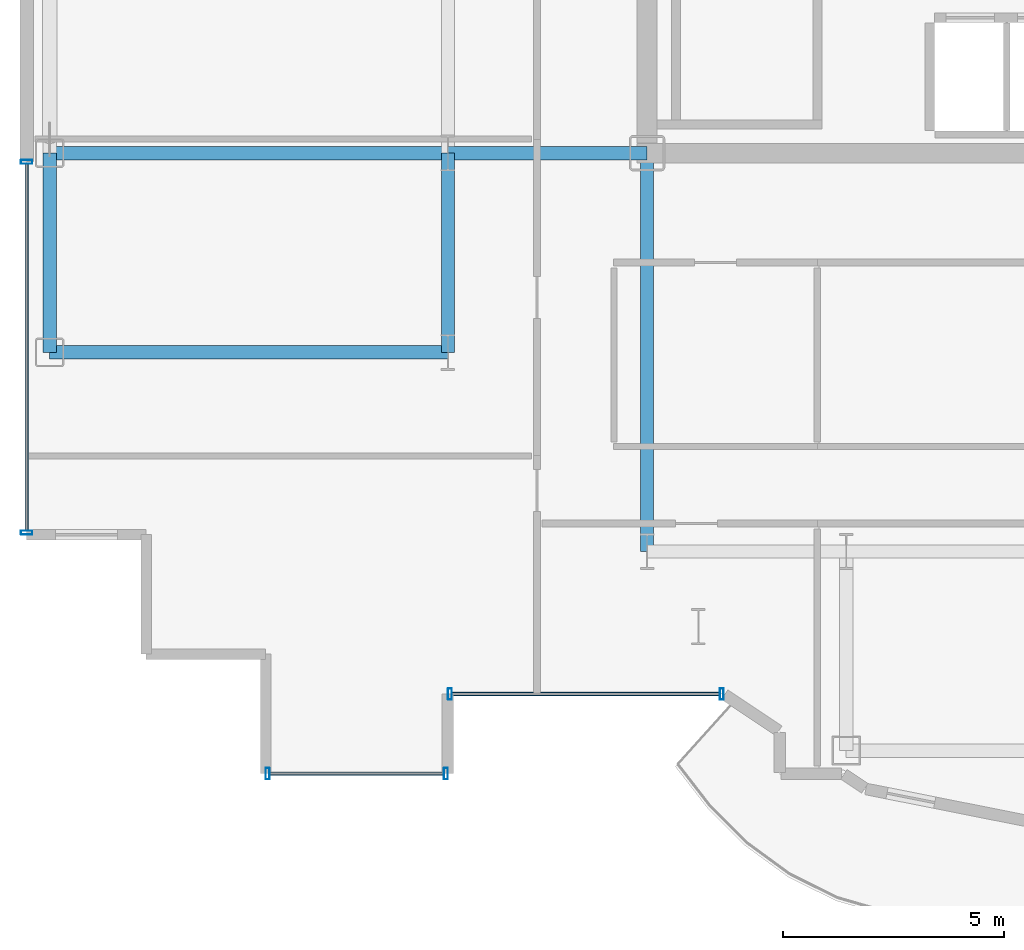
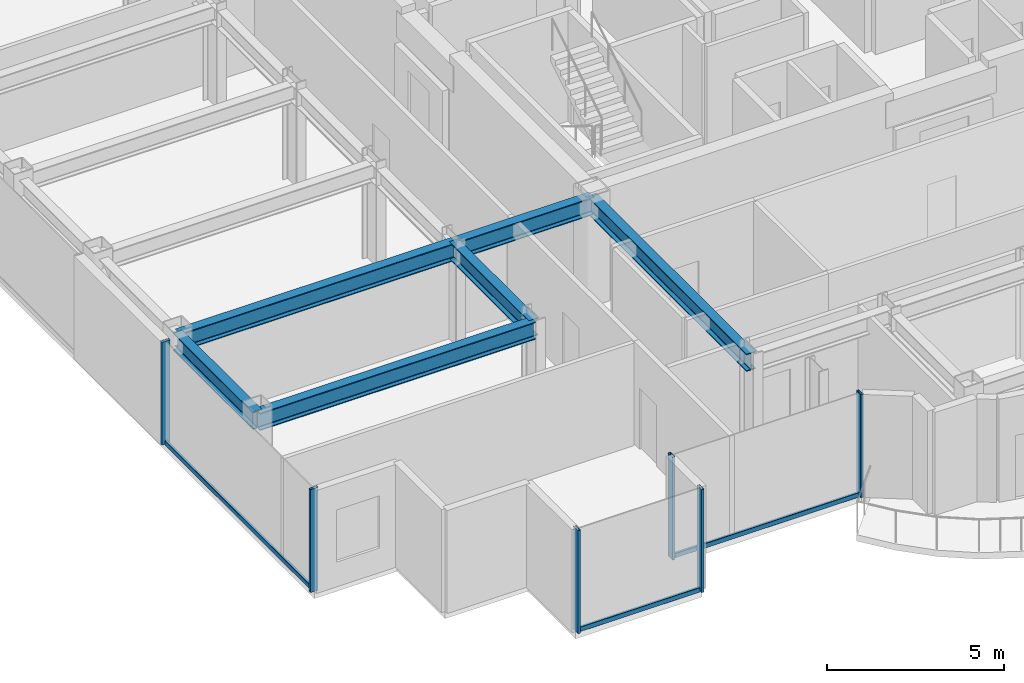
# One storey, part 2 of 22: 9 members, 6 beams, 3 elements without a shape of their own.
"""IFC4 building model written with IfcOpenShell, lengths in metres."""

import ifcopenshell
import ifcopenshell.guid

model = None  # the IFC model being written
_history = None  # IfcOwnerHistory: only IFC2X3 demands one
_inside = {}  # id of a spatial element -> (the spatial element, [elements in it])
_under = {}  # id of a project, library or spatial element -> (it, [spatial elements below it])
_declared = {}  # id of a project -> (the project, [libraries it declares])
_typed = {}  # id of a type object -> (the type object, [elements of that type])
_made_of = {}  # id of a material, layer set ... -> (it, [elements and type objects made of it])


def new_model(schema):
    """Start an empty IFC model of exactly this schema.

    Asked for "IFC4X3", IfcOpenShell would pick the latest addendum, in which some entities
    have other attributes; the version numbers below select the first issue.
    IFC2X3 requires an IfcOwnerHistory on every rooted entity: one is made here for all.
    """
    global model, _history
    if schema == "IFC4X3":
        model = ifcopenshell.file(schema_version=(4, 3, 0, 0))
    else:
        model = ifcopenshell.file(schema=schema)
    _inside.clear()
    _under.clear()
    _declared.clear()
    _typed.clear()
    _made_of.clear()
    _history = None
    if model.schema == "IFC2X3":
        org = make("IfcOrganization", Name="unknown")
        user = make(
            "IfcPersonAndOrganization",
            ThePerson=make("IfcPerson", FamilyName="unknown"),
            TheOrganization=org,
        )
        app = make(
            "IfcApplication",
            ApplicationDeveloper=org,
            Version="unknown",
            ApplicationFullName="unknown",
            ApplicationIdentifier="unknown",
        )
        _history = make(
            "IfcOwnerHistory",
            OwningUser=user,
            OwningApplication=app,
            ChangeAction="ADDED",
            CreationDate=0,
        )
    return model


def make(cls, **values):
    """One entity of the class cls with the attributes given. An attribute that is None is left unset."""
    return model.create_entity(
        cls, **{name: value for name, value in values.items() if value is not None}
    )


def rooted(cls, **values):
    """An entity with a GlobalId (a new one), such as an element, a storey or a relation."""
    return make(cls, GlobalId=ifcopenshell.guid.new(), OwnerHistory=_history, **values)


def si_unit(unit_type, name, prefix=None):
    """IfcSIUnit, for example si_unit("LENGTHUNIT", "METRE", prefix="MILLI")."""
    return make("IfcSIUnit", UnitType=unit_type, Prefix=prefix, Name=name)


def assignment(units):
    """IfcUnitAssignment: the units of a project."""
    return None if units is None else make("IfcUnitAssignment", Units=units)


def point(xyz):
    """IfcCartesianPoint."""
    return None if xyz is None else make("IfcCartesianPoint", Coordinates=xyz)


def direction(xyz):
    """IfcDirection."""
    return None if xyz is None else make("IfcDirection", DirectionRatios=xyz)


def frame(location, z_axis=None, x_axis=None):
    """IfcAxis2Placement3D, a coordinate frame: its origin and axes. An axis left out is left unset."""
    return make(
        "IfcAxis2Placement3D",
        Location=point(location),
        Axis=direction(z_axis),
        RefDirection=direction(x_axis),
    )


def frame_2d(location, x_axis=None):
    """IfcAxis2Placement2D, a coordinate frame in the plane: its origin and x axis."""
    return make(
        "IfcAxis2Placement2D", Location=point(location), RefDirection=direction(x_axis)
    )


def origin():
    """The frame at (0, 0, 0) with its axes left unset."""
    return frame((0.0, 0.0, 0.0))


def origin_2d():
    """The frame at (0, 0) in the plane with its x axis left unset."""
    return frame_2d((0.0, 0.0))


def place(relative_to, where):
    """IfcLocalPlacement: puts the frame where relative to a parent placement (None: the world)."""
    return make(
        "IfcLocalPlacement", PlacementRelTo=relative_to, RelativePlacement=where
    )


def context(
    kind, dimensions, precision=None, world=None, true_north=None, identifier=None
):
    """IfcGeometricRepresentationContext, for example the 3D "Model" context."""
    return make(
        "IfcGeometricRepresentationContext",
        ContextIdentifier=identifier,
        ContextType=kind,
        CoordinateSpaceDimension=dimensions,
        Precision=precision,
        WorldCoordinateSystem=world,
        TrueNorth=true_north,
    )


def subcontext(parent, identifier, kind, view, scale=None):
    """IfcGeometricRepresentationSubContext, for example "Body" below "Model"."""
    return make(
        "IfcGeometricRepresentationSubContext",
        ContextIdentifier=identifier,
        ContextType=kind,
        ParentContext=parent,
        TargetScale=scale,
        TargetView=view,
    )


def project(units=None, contexts=None):
    """IfcProject with its units and contexts."""
    return rooted(
        "IfcProject",
        Name="project",
        RepresentationContexts=contexts,
        UnitsInContext=assignment(units),
    )


def spatial(cls, under=None, at=None, **own):
    """A site, building, storey or space (cls), placed at a placement, below another one or the project."""
    s = rooted(cls, ObjectPlacement=at, **own)
    if under is not None:
        _under.setdefault(under.id(), (under, []))[1].append(s)
    return s


def profile(cls, at=None, kind="AREA", **sizes):
    """A parametric profile (cls). Its sizes go by their IFC names, for example OverallWidth=200.0."""
    return make(cls, ProfileType=kind, Position=at, **sizes)


def hollow_rectangle(**sizes):
    """IfcRectangleHollowProfileDef."""
    return profile("IfcRectangleHollowProfileDef", **sizes)


def i_section(**sizes):
    """IfcIShapeProfileDef."""
    return profile("IfcIShapeProfileDef", **sizes)


def extrude(swept, where, along, depth):
    """IfcExtrudedAreaSolid: the profile swept, set in the frame where, extruded along a direction by depth."""
    return make(
        "IfcExtrudedAreaSolid",
        SweptArea=swept,
        Position=where,
        ExtrudedDirection=direction(along),
        Depth=depth,
    )


def shape(context_of_items, identifier, shape_type, items):
    """IfcShapeRepresentation: the items that make up one representation, for example the "Body"."""
    return make(
        "IfcShapeRepresentation",
        ContextOfItems=context_of_items,
        RepresentationIdentifier=identifier,
        RepresentationType=shape_type,
        Items=items,
    )


def source(mapping_origin, context_of_items, identifier, shape_type, items):
    """IfcRepresentationMap: a shape defined once, which mapped items show again and again."""
    return make(
        "IfcRepresentationMap",
        MappingOrigin=mapping_origin,
        MappedRepresentation=shape(context_of_items, identifier, shape_type, items),
    )


def transform(
    local_origin,
    x_axis=None,
    y_axis=None,
    z_axis=None,
    scale=None,
    scale2=None,
    scale3=None,
    uniform=True,
):
    """IfcCartesianTransformationOperator3D, or its non-uniform kind. x_axis, y_axis, z_axis: its Axis1, 2, 3."""
    if uniform:
        return make(
            "IfcCartesianTransformationOperator3D",
            Axis1=direction(x_axis),
            Axis2=direction(y_axis),
            LocalOrigin=point(local_origin),
            Scale=scale,
            Axis3=direction(z_axis),
        )
    return make(
        "IfcCartesianTransformationOperator3DnonUniform",
        Axis1=direction(x_axis),
        Axis2=direction(y_axis),
        LocalOrigin=point(local_origin),
        Scale=scale,
        Axis3=direction(z_axis),
        Scale2=scale2,
        Scale3=scale3,
    )


def mapped(mapping_source, mapping_target):
    """IfcMappedItem: shows the shape of a source again, moved by a transform."""
    return make(
        "IfcMappedItem", MappingSource=mapping_source, MappingTarget=mapping_target
    )


def material(Name=None, Category=None):
    """IfcMaterial."""
    return make("IfcMaterial", Name=Name, Category=Category)


def layer(
    of_material, thickness, ventilated=None, Name=None, Category=None, Priority=None
):
    """IfcMaterialLayer: one layer of a wall or slab, of a material (None: an air gap)."""
    return make(
        "IfcMaterialLayer",
        Material=of_material,
        LayerThickness=thickness,
        IsVentilated=ventilated,
        Name=Name,
        Category=Category,
        Priority=Priority,
    )


def layer_set(layers, Name=None):
    """IfcMaterialLayerSet."""
    return make("IfcMaterialLayerSet", MaterialLayers=layers, LayerSetName=Name)


def material_profile(
    of_material, cross_section, Name=None, Category=None, Priority=None
):
    """IfcMaterialProfile: a cross section and its material."""
    return make(
        "IfcMaterialProfile",
        Name=Name,
        Material=of_material,
        Profile=cross_section,
        Priority=Priority,
        Category=Category,
    )


def profile_set(profiles, Name=None, composite=None):
    """IfcMaterialProfileSet."""
    return make(
        "IfcMaterialProfileSet",
        Name=Name,
        MaterialProfiles=profiles,
        CompositeProfile=composite,
    )


def made_of(thing, what):
    """Note that an element or type object is made of a material, layer set ...; save() writes the relation."""
    if what is not None:
        _made_of.setdefault(what.id(), (what, []))[1].append(thing)
    return thing


def type_object(cls, material=None, **own):
    """A type object (cls), such as IfcWallType, which elements share."""
    return made_of(rooted(cls, **own), material)


def element(
    cls,
    number,
    at=None,
    inside=None,
    cuts=None,
    type_object=None,
    material=None,
    context=None,
    identifier="Body",
    shape_type=None,
    held_by="IfcProductDefinitionShape",
    body=None,
    shapes=None,
    **own,
):
    """One element of the class cls, such as IfcWall. Its Tag is "e" and its number.

    at: its placement. inside: the storey or other place that contains it. cuts: it is an
    opening in that element (IfcRelVoidsElement). A single representation is given by context,
    identifier, shape_type and body (its items); several are given by shapes. held_by: the class
    of the entity that holds the representations. save() writes the other relations.
    """
    e = rooted(cls, Tag="e%d" % number, ObjectPlacement=at, **own)
    if body is not None:
        shapes = [shape(context, identifier, shape_type, body)]
    if shapes is not None:
        e.Representation = make(held_by, Representations=shapes)
    if inside is not None:
        _inside.setdefault(inside.id(), (inside, []))[1].append(e)
    if cuts is not None:
        rooted(
            "IfcRelVoidsElement", RelatingBuildingElement=cuts, RelatedOpeningElement=e
        )
    if type_object is not None:
        _typed.setdefault(type_object.id(), (type_object, []))[1].append(e)
    return made_of(e, material)


def aggregate(whole, parts):
    """IfcRelAggregates: a whole, such as a stair, and the parts it consists of."""
    return rooted("IfcRelAggregates", RelatingObject=whole, RelatedObjects=parts)


def save(model, path):
    """Write the relations noted so far, then the file.

    IfcRelAggregates (storeys below a building ...), IfcRelContainedInSpatialStructure (elements
    in a storey), IfcRelDefinesByType, IfcRelAssociatesMaterial and IfcRelDeclares: one each for
    every whole, place, type object, material and project.
    """
    for whole, parts in _under.values():
        aggregate(whole, parts)
    for where, things in _inside.values():
        rooted(
            "IfcRelContainedInSpatialStructure",
            RelatedElements=things,
            RelatingStructure=where,
        )
    for kind, things in _typed.values():
        rooted("IfcRelDefinesByType", RelatedObjects=things, RelatingType=kind)
    for what, things in _made_of.values():
        rooted("IfcRelAssociatesMaterial", RelatedObjects=things, RelatingMaterial=what)
    for by, libraries in _declared.values():
        rooted("IfcRelDeclares", RelatingContext=by, RelatedDefinitions=libraries)
    model.write(path)


model = new_model("IFC4")

# Units and contexts
model_context = context("Model", 3, precision=1e-05, world=origin(), true_north=direction((0.0, 1.0)))
body_context = subcontext(model_context, "Body", "Model", "MODEL_VIEW")
ifc_project = project(units=[si_unit("LENGTHUNIT", "METRE"), si_unit("AREAUNIT", "SQUARE_METRE"), si_unit("VOLUMEUNIT", "CUBIC_METRE"), si_unit("PLANEANGLEUNIT", "RADIAN"), si_unit("MASSUNIT", "GRAM", prefix="KILO")], contexts=[model_context])

# Site, building, storey
site_placement = place(None, origin())
site = spatial("IfcSite", under=ifc_project, at=site_placement, CompositionType="ELEMENT")
building_placement = place(site_placement, origin())
building = spatial("IfcBuilding", under=site, at=building_placement, Name="Nefas-Gora Pilgrimage Tower", CompositionType="ELEMENT")
storey_placement = place(building_placement, frame((0.0, 0.0, 240.800048828125)))
storey = spatial("IfcBuildingStorey", under=building, at=storey_placement, Name="L60", CompositionType="ELEMENT", Elevation=240.800048828125)

# Beams
ifc_material_1 = material(Name="Steel S355", Category="steel")
ifc_material_profile_1 = material_profile(ifc_material_1, i_section(OverallWidth=0.300048828125, OverallDepth=0.60009765625, WebThickness=0.015380859375, FlangeThickness=0.030029296875, FilletRadius=0.027099609375, at=origin_2d()), Name="HEB 600")
ifc_profile_set_1 = profile_set([ifc_material_profile_1], Name="Steel S355")
beam_type_1 = type_object("IfcBeamType", Name="BM-SPN-HEB450", PredefinedType="SPANDREL", material=ifc_profile_set_1)
shared_shape_1 = source(origin(), body_context, "Body", "SweptSolid", [
    extrude(i_section(OverallWidth=0.300048828125, OverallDepth=0.60009765625, WebThickness=0.015380859375, FlangeThickness=0.030029296875, FilletRadius=0.027099609375, at=origin_2d()), origin(), (0.0, 0.0, 1.0), 4.5),
])
beam_placement = place(storey_placement, frame((-24.75, -13.5, 3.25), z_axis=(0.0, 1.0, 0.0), x_axis=(-1.0, 0.0, 0.0)))
element("IfcBeam", 1, at=beam_placement, inside=storey, type_object=beam_type_1, Name="L60 SP-03 beam", PredefinedType="SPANDREL", context=body_context, shape_type="MappedRepresentation", body=[
    mapped(shared_shape_1, transform((0.0, 0.0, 0.0), x_axis=(1.0, 0.0, 0.0), y_axis=(0.0, 1.0, 0.0), z_axis=(0.0, 0.0, 1.0), scale=1.0)),
])
ifc_material_profile_2 = material_profile(ifc_material_1, i_section(OverallWidth=0.300048828125, OverallDepth=0.60009765625, WebThickness=0.015380859375, FlangeThickness=0.030029296875, FilletRadius=0.027099609375, at=origin_2d()), Name="HEB 600")
ifc_profile_set_2 = profile_set([ifc_material_profile_2], Name="Steel S355")
beam_type_2 = type_object("IfcBeamType", Name="BM-GIR-HEB600", PredefinedType="BEAM", material=ifc_profile_set_2)
shared_shape_2 = source(origin(), body_context, "Body", "SweptSolid", [
    extrude(i_section(OverallWidth=0.300048828125, OverallDepth=0.60009765625, WebThickness=0.015380859375, FlangeThickness=0.030029296875, FilletRadius=0.027099609375, at=origin_2d()), origin(), (0.0, 0.0, 1.0), 9.0),
])
for number, where, z_axis, x_axis, name in (
    (2, (-24.75, -13.5, 3.25), (1.0, 0.0, 0.0), (0.0, 1.0, 0.0), "L60 G-04 beam"),
    (3, (-24.75, -9.0, 3.25), (1.0, 0.0, 0.0), (0.0, 1.0, 0.0), "L60 G-04 beam"),
    (4, (-11.25, -18.0, 3.25), (0.0, 1.0, 0.0), (-1.0, 0.0, 0.0), "L60 G-04 beam"),
):
    element("IfcBeam", number, at=place(storey_placement, frame(where, z_axis=z_axis, x_axis=x_axis)), inside=storey, type_object=beam_type_2, Name=name, PredefinedType="BEAM", context=body_context, shape_type="MappedRepresentation", body=[
        mapped(shared_shape_2, transform((0.0, 0.0, 0.0), x_axis=(1.0, 0.0, 0.0), y_axis=(0.0, 1.0, 0.0), z_axis=(0.0, 0.0, 1.0), scale=1.0)),
    ])
shared_shape_3 = source(origin(), body_context, "Body", "SweptSolid", [
    extrude(i_section(OverallWidth=0.300048828125, OverallDepth=0.60009765625, WebThickness=0.015380859375, FlangeThickness=0.030029296875, FilletRadius=0.027099609375, at=origin_2d()), origin(), (0.0, 0.0, 1.0), 4.5),
])
for number, where, z_axis, x_axis, name in (
    (5, (-15.75, -13.5, 3.25), (0.0, 1.0, 0.0), (-1.0, 0.0, 0.0), "L60 G-04 beam"),
    (6, (-15.75, -9.0, 3.25), (1.0, 0.0, 0.0), (0.0, 1.0, 0.0), "L60 G-04 beam"),
):
    element("IfcBeam", number, at=place(storey_placement, frame(where, z_axis=z_axis, x_axis=x_axis)), inside=storey, type_object=beam_type_2, Name=name, PredefinedType="BEAM", context=body_context, shape_type="MappedRepresentation", body=[
        mapped(shared_shape_3, transform((0.0, 0.0, 0.0), x_axis=(1.0, 0.0, 0.0), y_axis=(0.0, 1.0, 0.0), z_axis=(0.0, 0.0, 1.0), scale=1.0)),
    ])

# Curtain wall, members
ifc_material_2 = material(Name="Dark ceramic-fritted solar-control aluminium-glass curtain wall", Category="aluminium")
ifc_layer_1 = layer(ifc_material_2, 0.219970703125)
ifc_layer_set_1 = layer_set([ifc_layer_1], Name="Dark ceramic-fritted solar-control aluminium-glass curtain wall")
curtain_wall_type_1 = type_object("IfcCurtainWallType", Name="CW-SYS-5", PredefinedType="NOTDEFINED", material=ifc_layer_set_1)
curtain_wall_1_placement = place(storey_placement, origin())
curtain_wall_1 = element("IfcCurtainWall", 7, at=curtain_wall_1_placement, inside=storey, type_object=curtain_wall_type_1, Name="L60 Unitised Curtain Wall CW5", PredefinedType="NOTDEFINED")
ifc_material_3 = material(Name="Anodised architectural aluminium", Category="aluminium")
ifc_material_profile_3 = material_profile(ifc_material_3, hollow_rectangle(XDim=0.090087890625, YDim=0.260009765625, WallThickness=0.006103515625, InnerFilletRadius=0.006103515625, OuterFilletRadius=0.011962890625, at=origin_2d()), Name="ALU MULLION 90x260")
ifc_profile_set_3 = profile_set([ifc_material_profile_3], Name="Anodised architectural aluminium")
member_type_1 = type_object("IfcMemberType", Name="CWM-MUL-5", PredefinedType="MULLION", material=ifc_profile_set_3)
shared_shape_4 = source(origin(), body_context, "Body", "SweptSolid", [
    extrude(hollow_rectangle(XDim=0.090087890625, YDim=0.260009765625, WallThickness=0.006103515625, InnerFilletRadius=0.006103515625, OuterFilletRadius=0.011962890625, at=origin_2d()), origin(), (0.0, 0.0, 1.0), 3.550048828125),
])
member_1_placement = place(storey_placement, frame((-15.705078125, -21.219970703125, 0.0), z_axis=(0.0, 0.0, 1.0), x_axis=(1.0, 0.0, 0.0)))
member_1 = element("IfcMember", 8, at=member_1_placement, type_object=member_type_1, Name="CW5 Mullion 1", PredefinedType="MULLION", context=body_context, shape_type="MappedRepresentation", body=[
    mapped(shared_shape_4, transform((0.0, 0.0, 0.0), x_axis=(1.0, 0.0, 0.0), y_axis=(0.0, 1.0, 0.0), z_axis=(0.0, 0.0, 1.0), scale=1.0)),
])
member_2_placement = place(storey_placement, frame((-9.56298828125, -21.219970703125, 0.0), z_axis=(0.0, 0.0, 1.0), x_axis=(1.0, 0.0, 0.0)))
member_2 = element("IfcMember", 9, at=member_2_placement, type_object=member_type_1, Name="CW5 Mullion 2", PredefinedType="MULLION", context=body_context, shape_type="MappedRepresentation", body=[
    mapped(shared_shape_4, transform((0.0, 0.0, 0.0), x_axis=(1.0, 0.0, 0.0), y_axis=(0.0, 1.0, 0.0), z_axis=(0.0, 0.0, 1.0), scale=1.0)),
])
ifc_material_profile_4 = material_profile(ifc_material_3, hollow_rectangle(XDim=0.080078125, YDim=0.159912109375, WallThickness=0.00439453125, InnerFilletRadius=0.00439453125, OuterFilletRadius=0.009033203125, at=origin_2d()), Name="ALU TRANSOM 80x160")
ifc_profile_set_4 = profile_set([ifc_material_profile_4], Name="Anodised architectural aluminium")
member_type_2 = type_object("IfcMemberType", Name="CWM-TRN-5", PredefinedType="USERDEFINED", material=ifc_profile_set_4)
shared_shape_5 = source(origin(), body_context, "Body", "SweptSolid", [
    extrude(hollow_rectangle(XDim=0.080078125, YDim=0.159912109375, WallThickness=0.00439453125, InnerFilletRadius=0.00439453125, OuterFilletRadius=0.009033203125, at=origin_2d()), origin(), (0.0, 0.0, 1.0), 6.052001953125),
])
member_3_placement = place(storey_placement, frame((-15.659912109375, -21.219970703125, 0.050048828125), z_axis=(1.0, 0.0, 0.0), x_axis=(0.0, 1.0, 0.0)))
member_3 = element("IfcMember", 10, at=member_3_placement, type_object=member_type_2, Name="CW5 Spandrel Transom", ObjectType="TRANSOM", PredefinedType="USERDEFINED", context=body_context, shape_type="MappedRepresentation", body=[
    mapped(shared_shape_5, transform((0.0, 0.0, 0.0), x_axis=(1.0, 0.0, 0.0), y_axis=(0.0, 1.0, 0.0), z_axis=(0.0, 0.0, 1.0), scale=1.0)),
])
aggregate(curtain_wall_1, [member_1, member_2, member_3])

ifc_layer_2 = layer(ifc_material_2, 0.219970703125)
ifc_layer_set_2 = layer_set([ifc_layer_2], Name="Dark ceramic-fritted solar-control aluminium-glass curtain wall")
curtain_wall_type_2 = type_object("IfcCurtainWallType", Name="CW-SYS-3", PredefinedType="NOTDEFINED", material=ifc_layer_set_2)
curtain_wall_2_placement = place(storey_placement, origin())
curtain_wall_2 = element("IfcCurtainWall", 11, at=curtain_wall_2_placement, inside=storey, type_object=curtain_wall_type_2, Name="L60 Unitised Curtain Wall CW3", PredefinedType="NOTDEFINED")
ifc_material_profile_5 = material_profile(ifc_material_3, hollow_rectangle(XDim=0.090087890625, YDim=0.260009765625, WallThickness=0.006103515625, InnerFilletRadius=0.006103515625, OuterFilletRadius=0.011962890625, at=origin_2d()), Name="ALU MULLION 90x260")
ifc_profile_set_5 = profile_set([ifc_material_profile_5], Name="Anodised architectural aluminium")
member_type_3 = type_object("IfcMemberType", Name="CWM-MUL-3", PredefinedType="MULLION", material=ifc_profile_set_5)
shared_shape_6 = source(origin(), body_context, "Body", "SweptSolid", [
    extrude(hollow_rectangle(XDim=0.090087890625, YDim=0.260009765625, WallThickness=0.006103515625, InnerFilletRadius=0.006103515625, OuterFilletRadius=0.011962890625, at=origin_2d()), origin(), (0.0, 0.0, 1.0), 3.550048828125),
])
member_4_placement = place(storey_placement, frame((-25.27001953125, -9.195068359375, 0.0), z_axis=(0.0, 0.0, 1.0), x_axis=(0.0, -1.0, 0.0)))
member_4 = element("IfcMember", 12, at=member_4_placement, type_object=member_type_3, Name="CW3 Mullion 1", PredefinedType="MULLION", context=body_context, shape_type="MappedRepresentation", body=[
    mapped(shared_shape_6, transform((0.0, 0.0, 0.0), x_axis=(1.0, 0.0, 0.0), y_axis=(0.0, 1.0, 0.0), z_axis=(0.0, 0.0, 1.0), scale=1.0)),
])
member_5_placement = place(storey_placement, frame((-25.27001953125, -17.574951171875, 0.0), z_axis=(0.0, 0.0, 1.0), x_axis=(0.0, -1.0, 0.0)))
member_5 = element("IfcMember", 13, at=member_5_placement, type_object=member_type_3, Name="CW3 Mullion 2", PredefinedType="MULLION", context=body_context, shape_type="MappedRepresentation", body=[
    mapped(shared_shape_6, transform((0.0, 0.0, 0.0), x_axis=(1.0, 0.0, 0.0), y_axis=(0.0, 1.0, 0.0), z_axis=(0.0, 0.0, 1.0), scale=1.0)),
])

curtain_wall_3_placement = place(storey_placement, origin())
curtain_wall_3 = element("IfcCurtainWall", 14, at=curtain_wall_3_placement, inside=storey, type_object=curtain_wall_type_2, Name="L60 Unitised Curtain Wall CW3", PredefinedType="NOTDEFINED")
member_6_placement = place(storey_placement, frame((-19.824951171875, -23.02001953125, 0.0), z_axis=(0.0, 0.0, 1.0), x_axis=(1.0, 0.0, 0.0)))
member_6 = element("IfcMember", 15, at=member_6_placement, type_object=member_type_3, Name="CW3 Mullion 1", PredefinedType="MULLION", context=body_context, shape_type="MappedRepresentation", body=[
    mapped(shared_shape_6, transform((0.0, 0.0, 0.0), x_axis=(1.0, 0.0, 0.0), y_axis=(0.0, 1.0, 0.0), z_axis=(0.0, 0.0, 1.0), scale=1.0)),
])
member_7_placement = place(storey_placement, frame((-15.794921875, -23.02001953125, 0.0), z_axis=(0.0, 0.0, 1.0), x_axis=(1.0, 0.0, 0.0)))
member_7 = element("IfcMember", 16, at=member_7_placement, type_object=member_type_3, Name="CW3 Mullion 2", PredefinedType="MULLION", context=body_context, shape_type="MappedRepresentation", body=[
    mapped(shared_shape_6, transform((0.0, 0.0, 0.0), x_axis=(1.0, 0.0, 0.0), y_axis=(0.0, 1.0, 0.0), z_axis=(0.0, 0.0, 1.0), scale=1.0)),
])

# Member
ifc_material_profile_6 = material_profile(ifc_material_3, hollow_rectangle(XDim=0.080078125, YDim=0.159912109375, WallThickness=0.00439453125, InnerFilletRadius=0.00439453125, OuterFilletRadius=0.009033203125, at=origin_2d()), Name="ALU TRANSOM 80x160")
ifc_profile_set_6 = profile_set([ifc_material_profile_6], Name="Anodised architectural aluminium")
member_type_4 = type_object("IfcMemberType", Name="CWM-TRN-3", PredefinedType="USERDEFINED", material=ifc_profile_set_6)
shared_shape_7 = source(origin(), body_context, "Body", "SweptSolid", [
    extrude(hollow_rectangle(XDim=0.080078125, YDim=0.159912109375, WallThickness=0.00439453125, InnerFilletRadius=0.00439453125, OuterFilletRadius=0.009033203125, at=origin_2d()), origin(), (0.0, 0.0, 1.0), 8.2900390625),
])
member_8_placement = place(storey_placement, frame((-25.27001953125, -9.239990234375, 0.050048828125), z_axis=(0.0, -1.0, 0.0), x_axis=(1.0, 0.0, 0.0)))
member_8 = element("IfcMember", 17, at=member_8_placement, type_object=member_type_4, Name="CW3 Spandrel Transom", ObjectType="TRANSOM", PredefinedType="USERDEFINED", context=body_context, shape_type="MappedRepresentation", body=[
    mapped(shared_shape_7, transform((0.0, 0.0, 0.0), x_axis=(1.0, 0.0, 0.0), y_axis=(0.0, 1.0, 0.0), z_axis=(0.0, 0.0, 1.0), scale=1.0)),
])

aggregate(curtain_wall_2, [member_4, member_5, member_8])

shared_shape_8 = source(origin(), body_context, "Body", "SweptSolid", [
    extrude(hollow_rectangle(XDim=0.080078125, YDim=0.159912109375, WallThickness=0.00439453125, InnerFilletRadius=0.00439453125, OuterFilletRadius=0.009033203125, at=origin_2d()), origin(), (0.0, 0.0, 1.0), 3.93994140625),
])
member_9_placement = place(storey_placement, frame((-19.780029296875, -23.02001953125, 0.050048828125), z_axis=(1.0, 0.0, 0.0), x_axis=(0.0, 1.0, 0.0)))
member_9 = element("IfcMember", 18, at=member_9_placement, type_object=member_type_4, Name="CW3 Spandrel Transom", ObjectType="TRANSOM", PredefinedType="USERDEFINED", context=body_context, shape_type="MappedRepresentation", body=[
    mapped(shared_shape_8, transform((0.0, 0.0, 0.0), x_axis=(1.0, 0.0, 0.0), y_axis=(0.0, 1.0, 0.0), z_axis=(0.0, 0.0, 1.0), scale=1.0)),
])

aggregate(curtain_wall_3, [member_6, member_7, member_9])

save(model, "model.ifc")
